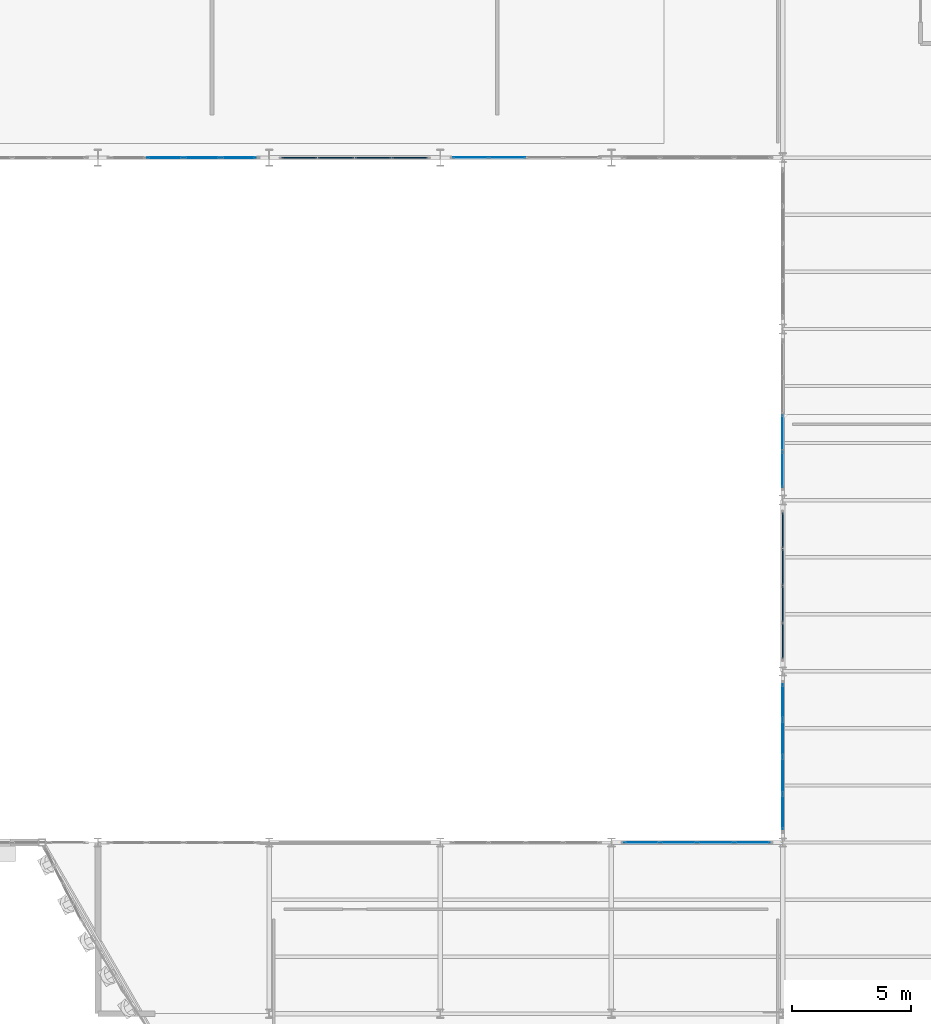
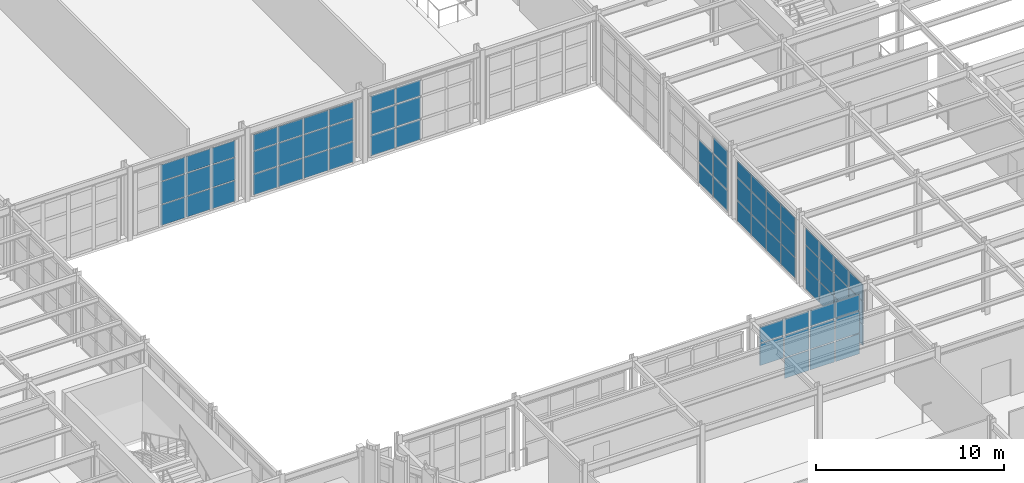
# One storey, part 86 of 126: 67 plates, 7 elements without a shape of their own.
"""IFC4 building model written with IfcOpenShell, lengths in metres."""

from ifc_helpers import new_model, si_unit, direction, frame, origin, origin_2d, place, context, subcontext, project, spatial, rectangle, extrude, material, layer, layer_set, type_object, element, aggregate, save


model = new_model("IFC4")

# Units and contexts
model_context = context("Model", 3, precision=1e-05, world=origin(), true_north=direction((0.0, 1.0)))
body_context = subcontext(model_context, "Body", "Model", "MODEL_VIEW")
ifc_project = project(units=[si_unit("LENGTHUNIT", "METRE"), si_unit("AREAUNIT", "SQUARE_METRE"), si_unit("VOLUMEUNIT", "CUBIC_METRE"), si_unit("PLANEANGLEUNIT", "RADIAN"), si_unit("MASSUNIT", "GRAM", prefix="KILO")], contexts=[model_context])

# Site, building, storey
site_placement = place(None, origin())
site = spatial("IfcSite", under=ifc_project, at=site_placement, CompositionType="ELEMENT")
building_placement = place(site_placement, origin())
building = spatial("IfcBuilding", under=site, at=building_placement, Name="Solvadek Multi-Sports Hall", CompositionType="ELEMENT")
storey_placement = place(building_placement, frame((0.0, 0.0, 9.60009765625)))
storey = spatial("IfcBuildingStorey", under=building, at=storey_placement, Name="L02", CompositionType="ELEMENT", Elevation=9.60009765625)

# Curtain wall, plates
ifc_material_1 = material(Name="Anodised aluminium", Category="aluminium")
ifc_layer_1 = layer(ifc_material_1, 0.159912109375, Name="Anodised aluminium")
ifc_layer_set_1 = layer_set([ifc_layer_1], Name="Anodised aluminium")
curtain_wall_type_1 = type_object("IfcCurtainWallType", Name="ENV-CW-624X400", PredefinedType="USERDEFINED", material=ifc_layer_set_1)
curtain_wall_1_placement = place(storey_placement, origin())
curtain_wall_1 = element("IfcCurtainWall", 1, at=curtain_wall_1_placement, inside=storey, type_object=curtain_wall_type_1, Name="L02 Perimeter Bay Curtain Wall #173", ObjectType="CURTAIN WALL", PredefinedType="USERDEFINED")
ifc_material_2 = material(Name="Tempered laminated low-E glass", Category="glass")
ifc_layer_2 = layer(ifc_material_2, 0.02392578125, Name="Tempered laminated low-E glass")
ifc_layer_set_2 = layer_set([ifc_layer_2], Name="Tempered laminated low-E glass")
plate_type_1 = type_object("IfcPlateType", Name="ENV-CWP-01", PredefinedType="CURTAIN_PANEL", material=ifc_layer_set_2)
plate_1_placement = place(storey_placement, frame((44.47509765625, 49.199951171875, 0.06494140625), z_axis=(0.0, 0.0, 1.0), x_axis=(1.0, 0.0, 0.0)))
plate_1 = element("IfcPlate", 2, at=plate_1_placement, type_object=plate_type_1, Name="CW-56 panel 1.1", PredefinedType="CURTAIN_PANEL", context=body_context, shape_type="SweptSolid", body=[
    extrude(rectangle(XDim=1.469970703125, YDim=0.02392578125, at=origin_2d()), origin(), (0.0, 0.0, 1.0), 1.302490234375),
])
plate_2_placement = place(storey_placement, frame((44.47509765625, 49.199951171875, 1.432373046875), z_axis=(0.0, 0.0, 1.0), x_axis=(1.0, 0.0, 0.0)))
plate_2 = element("IfcPlate", 3, at=plate_2_placement, type_object=plate_type_1, Name="CW-56 panel 1.2", PredefinedType="CURTAIN_PANEL", context=body_context, shape_type="SweptSolid", body=[
    extrude(rectangle(XDim=1.469970703125, YDim=0.02392578125, at=origin_2d()), origin(), (0.0, 0.0, 1.0), 1.4150390625),
])
plate_3_placement = place(storey_placement, frame((44.47509765625, 49.199951171875, 2.912353515625), z_axis=(0.0, 0.0, 1.0), x_axis=(1.0, 0.0, 0.0)))
plate_3 = element("IfcPlate", 4, at=plate_3_placement, type_object=plate_type_1, Name="CW-56 panel 1.3", PredefinedType="CURTAIN_PANEL", context=body_context, shape_type="SweptSolid", body=[
    extrude(rectangle(XDim=1.469970703125, YDim=0.02392578125, at=origin_2d()), origin(), (0.0, 0.0, 1.0), 1.0224609375),
])
plate_4_placement = place(storey_placement, frame((46.02001953125, 49.199951171875, 0.06494140625), z_axis=(0.0, 0.0, 1.0), x_axis=(1.0, 0.0, 0.0)))
plate_4 = element("IfcPlate", 5, at=plate_4_placement, type_object=plate_type_1, Name="CW-56 panel 2.1", PredefinedType="CURTAIN_PANEL", context=body_context, shape_type="SweptSolid", body=[
    extrude(rectangle(XDim=1.5, YDim=0.02392578125, at=origin_2d()), origin(), (0.0, 0.0, 1.0), 1.302490234375),
])
plate_5_placement = place(storey_placement, frame((46.02001953125, 49.199951171875, 1.432373046875), z_axis=(0.0, 0.0, 1.0), x_axis=(1.0, 0.0, 0.0)))
plate_5 = element("IfcPlate", 6, at=plate_5_placement, type_object=plate_type_1, Name="CW-56 panel 2.2", PredefinedType="CURTAIN_PANEL", context=body_context, shape_type="SweptSolid", body=[
    extrude(rectangle(XDim=1.5, YDim=0.02392578125, at=origin_2d()), origin(), (0.0, 0.0, 1.0), 1.4150390625),
])
plate_6_placement = place(storey_placement, frame((46.02001953125, 49.199951171875, 2.912353515625), z_axis=(0.0, 0.0, 1.0), x_axis=(1.0, 0.0, 0.0)))
plate_6 = element("IfcPlate", 7, at=plate_6_placement, type_object=plate_type_1, Name="CW-56 panel 2.3", PredefinedType="CURTAIN_PANEL", context=body_context, shape_type="SweptSolid", body=[
    extrude(rectangle(XDim=1.5, YDim=0.02392578125, at=origin_2d()), origin(), (0.0, 0.0, 1.0), 1.0224609375),
])
aggregate(curtain_wall_1, [plate_1, plate_2, plate_3, plate_4, plate_5, plate_6])

curtain_wall_2_placement = place(storey_placement, origin())
curtain_wall_2 = element("IfcCurtainWall", 8, at=curtain_wall_2_placement, inside=storey, type_object=curtain_wall_type_1, Name="L02 Perimeter Bay Curtain Wall #196", ObjectType="CURTAIN WALL", PredefinedType="USERDEFINED")
plate_7_placement = place(storey_placement, frame((57.60009765625, 36.074951171875, 0.06494140625), z_axis=(0.0, 0.0, 1.0), x_axis=(0.0, 1.0, 0.0)))
plate_7 = element("IfcPlate", 9, at=plate_7_placement, type_object=plate_type_1, Name="CW-56 panel 1.1", PredefinedType="CURTAIN_PANEL", context=body_context, shape_type="SweptSolid", body=[
    extrude(rectangle(XDim=1.469970703125, YDim=0.02392578125, at=origin_2d()), origin(), (0.0, 0.0, 1.0), 1.302490234375),
])
plate_8_placement = place(storey_placement, frame((57.60009765625, 36.074951171875, 1.432373046875), z_axis=(0.0, 0.0, 1.0), x_axis=(0.0, 1.0, 0.0)))
plate_8 = element("IfcPlate", 10, at=plate_8_placement, type_object=plate_type_1, Name="CW-56 panel 1.2", PredefinedType="CURTAIN_PANEL", context=body_context, shape_type="SweptSolid", body=[
    extrude(rectangle(XDim=1.469970703125, YDim=0.02392578125, at=origin_2d()), origin(), (0.0, 0.0, 1.0), 1.4150390625),
])
plate_9_placement = place(storey_placement, frame((57.60009765625, 36.074951171875, 2.912353515625), z_axis=(0.0, 0.0, 1.0), x_axis=(0.0, 1.0, 0.0)))
plate_9 = element("IfcPlate", 11, at=plate_9_placement, type_object=plate_type_1, Name="CW-56 panel 1.3", PredefinedType="CURTAIN_PANEL", context=body_context, shape_type="SweptSolid", body=[
    extrude(rectangle(XDim=1.469970703125, YDim=0.02392578125, at=origin_2d()), origin(), (0.0, 0.0, 1.0), 1.0224609375),
])
plate_10_placement = place(storey_placement, frame((57.60009765625, 37.6201171875, 0.06494140625), z_axis=(0.0, 0.0, 1.0), x_axis=(0.0, 1.0, 0.0)))
plate_10 = element("IfcPlate", 12, at=plate_10_placement, type_object=plate_type_1, Name="CW-56 panel 2.1", PredefinedType="CURTAIN_PANEL", context=body_context, shape_type="SweptSolid", body=[
    extrude(rectangle(XDim=1.5, YDim=0.02392578125, at=origin_2d()), origin(), (0.0, 0.0, 1.0), 1.302490234375),
])
plate_11_placement = place(storey_placement, frame((57.60009765625, 37.6201171875, 1.432373046875), z_axis=(0.0, 0.0, 1.0), x_axis=(0.0, 1.0, 0.0)))
plate_11 = element("IfcPlate", 13, at=plate_11_placement, type_object=plate_type_1, Name="CW-56 panel 2.2", PredefinedType="CURTAIN_PANEL", context=body_context, shape_type="SweptSolid", body=[
    extrude(rectangle(XDim=1.5, YDim=0.02392578125, at=origin_2d()), origin(), (0.0, 0.0, 1.0), 1.4150390625),
])
aggregate(curtain_wall_2, [plate_7, plate_8, plate_9, plate_10, plate_11])

ifc_layer_3 = layer(ifc_material_1, 0.159912109375, Name="Anodised aluminium")
ifc_layer_set_3 = layer_set([ifc_layer_3], Name="Anodised aluminium")
curtain_wall_type_2 = type_object("IfcCurtainWallType", Name="ENV-CW-624X397", PredefinedType="USERDEFINED", material=ifc_layer_set_3)
curtain_wall_3_placement = place(storey_placement, origin())
curtain_wall_3 = element("IfcCurtainWall", 14, at=curtain_wall_3_placement, inside=storey, type_object=curtain_wall_type_2, Name="L02 Perimeter Bay Curtain Wall #176", ObjectType="CURTAIN WALL", PredefinedType="USERDEFINED")
ifc_layer_4 = layer(ifc_material_2, 0.028076171875, Name="Tempered laminated low-E glass")
ifc_layer_set_4 = layer_set([ifc_layer_4], Name="Tempered laminated low-E glass")
plate_type_2 = type_object("IfcPlateType", Name="ENV-CWP-02", PredefinedType="CURTAIN_PANEL", material=ifc_layer_set_4)
plate_12_placement = place(storey_placement, frame((51.67626953125, 20.39990234375, 1.42333984375), z_axis=(0.0, 0.0, 1.0), x_axis=(1.0, 0.0, 0.0)))
plate_12 = element("IfcPlate", 15, at=plate_12_placement, type_object=plate_type_2, Name="CW-57 panel 1.2", PredefinedType="CURTAIN_PANEL", context=body_context, shape_type="SweptSolid", body=[
    extrude(rectangle(XDim=1.46240234375, YDim=0.028076171875, at=origin_2d()), origin(), (0.0, 0.0, 1.0), 1.406005859375),
])
plate_13_placement = place(storey_placement, frame((51.67626953125, 20.39990234375, 2.89453125), z_axis=(0.0, 0.0, 1.0), x_axis=(1.0, 0.0, 0.0)))
plate_13 = element("IfcPlate", 16, at=plate_13_placement, type_object=plate_type_2, Name="CW-57 panel 1.3", PredefinedType="CURTAIN_PANEL", context=body_context, shape_type="SweptSolid", body=[
    extrude(rectangle(XDim=1.46240234375, YDim=0.028076171875, at=origin_2d()), origin(), (0.0, 0.0, 1.0), 1.015380859375),
])
plate_14_placement = place(storey_placement, frame((53.219970703125, 20.39990234375, 0.06494140625), z_axis=(0.0, 0.0, 1.0), x_axis=(1.0, 0.0, 0.0)))
plate_14 = element("IfcPlate", 17, at=plate_14_placement, type_object=plate_type_2, Name="CW-57 panel 2.1", PredefinedType="CURTAIN_PANEL", context=body_context, shape_type="SweptSolid", body=[
    extrude(rectangle(XDim=1.4951171875, YDim=0.028076171875, at=origin_2d()), origin(), (0.0, 0.0, 1.0), 1.29345703125),
])
plate_15_placement = place(storey_placement, frame((53.219970703125, 20.39990234375, 1.42333984375), z_axis=(0.0, 0.0, 1.0), x_axis=(1.0, 0.0, 0.0)))
plate_15 = element("IfcPlate", 18, at=plate_15_placement, type_object=plate_type_2, Name="CW-57 panel 2.2", PredefinedType="CURTAIN_PANEL", context=body_context, shape_type="SweptSolid", body=[
    extrude(rectangle(XDim=1.4951171875, YDim=0.028076171875, at=origin_2d()), origin(), (0.0, 0.0, 1.0), 1.406005859375),
])
plate_16_placement = place(storey_placement, frame((53.219970703125, 20.39990234375, 2.89453125), z_axis=(0.0, 0.0, 1.0), x_axis=(1.0, 0.0, 0.0)))
plate_16 = element("IfcPlate", 19, at=plate_16_placement, type_object=plate_type_2, Name="CW-57 panel 2.3", PredefinedType="CURTAIN_PANEL", context=body_context, shape_type="SweptSolid", body=[
    extrude(rectangle(XDim=1.4951171875, YDim=0.028076171875, at=origin_2d()), origin(), (0.0, 0.0, 1.0), 1.015380859375),
])
plate_17_placement = place(storey_placement, frame((54.780029296875, 20.39990234375, 0.06494140625), z_axis=(0.0, 0.0, 1.0), x_axis=(1.0, 0.0, 0.0)))
plate_17 = element("IfcPlate", 20, at=plate_17_placement, type_object=plate_type_2, Name="CW-57 panel 3.1", PredefinedType="CURTAIN_PANEL", context=body_context, shape_type="SweptSolid", body=[
    extrude(rectangle(XDim=1.4951171875, YDim=0.028076171875, at=origin_2d()), origin(), (0.0, 0.0, 1.0), 1.29345703125),
])
plate_18_placement = place(storey_placement, frame((54.780029296875, 20.39990234375, 1.42333984375), z_axis=(0.0, 0.0, 1.0), x_axis=(1.0, 0.0, 0.0)))
plate_18 = element("IfcPlate", 21, at=plate_18_placement, type_object=plate_type_2, Name="CW-57 panel 3.2", PredefinedType="CURTAIN_PANEL", context=body_context, shape_type="SweptSolid", body=[
    extrude(rectangle(XDim=1.4951171875, YDim=0.028076171875, at=origin_2d()), origin(), (0.0, 0.0, 1.0), 1.406005859375),
])
plate_19_placement = place(storey_placement, frame((54.780029296875, 20.39990234375, 2.89453125), z_axis=(0.0, 0.0, 1.0), x_axis=(1.0, 0.0, 0.0)))
plate_19 = element("IfcPlate", 22, at=plate_19_placement, type_object=plate_type_2, Name="CW-57 panel 3.3", PredefinedType="CURTAIN_PANEL", context=body_context, shape_type="SweptSolid", body=[
    extrude(rectangle(XDim=1.4951171875, YDim=0.028076171875, at=origin_2d()), origin(), (0.0, 0.0, 1.0), 1.015380859375),
])
plate_20_placement = place(storey_placement, frame((56.32373046875, 20.39990234375, 0.06494140625), z_axis=(0.0, 0.0, 1.0), x_axis=(1.0, 0.0, 0.0)))
plate_20 = element("IfcPlate", 23, at=plate_20_placement, type_object=plate_type_2, Name="CW-57 panel 4.1", PredefinedType="CURTAIN_PANEL", context=body_context, shape_type="SweptSolid", body=[
    extrude(rectangle(XDim=1.46240234375, YDim=0.028076171875, at=origin_2d()), origin(), (0.0, 0.0, 1.0), 1.29345703125),
])
plate_21_placement = place(storey_placement, frame((56.32373046875, 20.39990234375, 1.42333984375), z_axis=(0.0, 0.0, 1.0), x_axis=(1.0, 0.0, 0.0)))
plate_21 = element("IfcPlate", 24, at=plate_21_placement, type_object=plate_type_2, Name="CW-57 panel 4.2", PredefinedType="CURTAIN_PANEL", context=body_context, shape_type="SweptSolid", body=[
    extrude(rectangle(XDim=1.46240234375, YDim=0.028076171875, at=origin_2d()), origin(), (0.0, 0.0, 1.0), 1.406005859375),
])
plate_22_placement = place(storey_placement, frame((56.32373046875, 20.39990234375, 2.89453125), z_axis=(0.0, 0.0, 1.0), x_axis=(1.0, 0.0, 0.0)))
plate_22 = element("IfcPlate", 25, at=plate_22_placement, type_object=plate_type_2, Name="CW-57 panel 4.3", PredefinedType="CURTAIN_PANEL", context=body_context, shape_type="SweptSolid", body=[
    extrude(rectangle(XDim=1.46240234375, YDim=0.028076171875, at=origin_2d()), origin(), (0.0, 0.0, 1.0), 1.015380859375),
])
aggregate(curtain_wall_3, [plate_12, plate_13, plate_14, plate_15, plate_16, plate_17, plate_18, plate_19, plate_20, plate_21, plate_22])

ifc_layer_5 = layer(ifc_material_1, 0.159912109375, Name="Anodised aluminium")
ifc_layer_set_5 = layer_set([ifc_layer_5], Name="Anodised aluminium")
curtain_wall_type_3 = type_object("IfcCurtainWallType", Name="ENV-CW-624X405", PredefinedType="USERDEFINED", material=ifc_layer_set_5)
curtain_wall_4_placement = place(storey_placement, origin())
curtain_wall_4 = element("IfcCurtainWall", 26, at=curtain_wall_4_placement, inside=storey, type_object=curtain_wall_type_3, Name="L02 Perimeter Bay Curtain Wall #163", ObjectType="CURTAIN WALL", PredefinedType="USERDEFINED")
ifc_layer_6 = layer(ifc_material_2, 0.0419921875, Name="Tempered laminated low-E glass")
ifc_layer_set_6 = layer_set([ifc_layer_6], Name="Tempered laminated low-E glass")
plate_type_3 = type_object("IfcPlateType", Name="ENV-CWP-05", PredefinedType="CURTAIN_PANEL", material=ifc_layer_set_6)
plate_23_placement = place(storey_placement, frame((31.6201171875, 49.199951171875, 0.06005859375), z_axis=(0.0, 0.0, 1.0), x_axis=(1.0, 0.0, 0.0)))
plate_23 = element("IfcPlate", 27, at=plate_23_placement, type_object=plate_type_3, Name="CW-52 panel 2.1", PredefinedType="CURTAIN_PANEL", context=body_context, shape_type="SweptSolid", body=[
    extrude(rectangle(XDim=1.489990234375, YDim=0.0419921875, at=origin_2d()), origin(), (0.0, 0.0, 1.0), 1.327880859375),
])
plate_24_placement = place(storey_placement, frame((31.6201171875, 49.199951171875, 1.447998046875), z_axis=(0.0, 0.0, 1.0), x_axis=(1.0, 0.0, 0.0)))
plate_24 = element("IfcPlate", 28, at=plate_24_placement, type_object=plate_type_3, Name="CW-52 panel 2.2", PredefinedType="CURTAIN_PANEL", context=body_context, shape_type="SweptSolid", body=[
    extrude(rectangle(XDim=1.489990234375, YDim=0.0419921875, at=origin_2d()), origin(), (0.0, 0.0, 1.0), 1.43798828125),
])
plate_25_placement = place(storey_placement, frame((31.6201171875, 49.199951171875, 2.946044921875), z_axis=(0.0, 0.0, 1.0), x_axis=(1.0, 0.0, 0.0)))
plate_25 = element("IfcPlate", 29, at=plate_25_placement, type_object=plate_type_3, Name="CW-52 panel 2.3", PredefinedType="CURTAIN_PANEL", context=body_context, shape_type="SweptSolid", body=[
    extrude(rectangle(XDim=1.489990234375, YDim=0.0419921875, at=origin_2d()), origin(), (0.0, 0.0, 1.0), 1.0439453125),
])
plate_26_placement = place(storey_placement, frame((33.179931640625, 49.199951171875, 0.06005859375), z_axis=(0.0, 0.0, 1.0), x_axis=(1.0, 0.0, 0.0)))
plate_26 = element("IfcPlate", 30, at=plate_26_placement, type_object=plate_type_3, Name="CW-52 panel 3.1", PredefinedType="CURTAIN_PANEL", context=body_context, shape_type="SweptSolid", body=[
    extrude(rectangle(XDim=1.489990234375, YDim=0.0419921875, at=origin_2d()), origin(), (0.0, 0.0, 1.0), 1.327880859375),
])
plate_27_placement = place(storey_placement, frame((33.179931640625, 49.199951171875, 1.447998046875), z_axis=(0.0, 0.0, 1.0), x_axis=(1.0, 0.0, 0.0)))
plate_27 = element("IfcPlate", 31, at=plate_27_placement, type_object=plate_type_3, Name="CW-52 panel 3.2", PredefinedType="CURTAIN_PANEL", context=body_context, shape_type="SweptSolid", body=[
    extrude(rectangle(XDim=1.489990234375, YDim=0.0419921875, at=origin_2d()), origin(), (0.0, 0.0, 1.0), 1.43798828125),
])
plate_28_placement = place(storey_placement, frame((33.179931640625, 49.199951171875, 2.946044921875), z_axis=(0.0, 0.0, 1.0), x_axis=(1.0, 0.0, 0.0)))
plate_28 = element("IfcPlate", 32, at=plate_28_placement, type_object=plate_type_3, Name="CW-52 panel 3.3", PredefinedType="CURTAIN_PANEL", context=body_context, shape_type="SweptSolid", body=[
    extrude(rectangle(XDim=1.489990234375, YDim=0.0419921875, at=origin_2d()), origin(), (0.0, 0.0, 1.0), 1.0439453125),
])
plate_29_placement = place(storey_placement, frame((34.722412109375, 49.199951171875, 0.06005859375), z_axis=(0.0, 0.0, 1.0), x_axis=(1.0, 0.0, 0.0)))
plate_29 = element("IfcPlate", 33, at=plate_29_placement, type_object=plate_type_3, Name="CW-52 panel 4.1", PredefinedType="CURTAIN_PANEL", context=body_context, shape_type="SweptSolid", body=[
    extrude(rectangle(XDim=1.455078125, YDim=0.0419921875, at=origin_2d()), origin(), (0.0, 0.0, 1.0), 1.327880859375),
])
plate_30_placement = place(storey_placement, frame((34.722412109375, 49.199951171875, 1.447998046875), z_axis=(0.0, 0.0, 1.0), x_axis=(1.0, 0.0, 0.0)))
plate_30 = element("IfcPlate", 34, at=plate_30_placement, type_object=plate_type_3, Name="CW-52 panel 4.2", PredefinedType="CURTAIN_PANEL", context=body_context, shape_type="SweptSolid", body=[
    extrude(rectangle(XDim=1.455078125, YDim=0.0419921875, at=origin_2d()), origin(), (0.0, 0.0, 1.0), 1.43798828125),
])
plate_31_placement = place(storey_placement, frame((34.722412109375, 49.199951171875, 2.946044921875), z_axis=(0.0, 0.0, 1.0), x_axis=(1.0, 0.0, 0.0)))
plate_31 = element("IfcPlate", 35, at=plate_31_placement, type_object=plate_type_3, Name="CW-52 panel 4.3", PredefinedType="CURTAIN_PANEL", context=body_context, shape_type="SweptSolid", body=[
    extrude(rectangle(XDim=1.455078125, YDim=0.0419921875, at=origin_2d()), origin(), (0.0, 0.0, 1.0), 1.0439453125),
])
aggregate(curtain_wall_4, [plate_23, plate_24, plate_25, plate_26, plate_27, plate_28, plate_29, plate_30, plate_31])

curtain_wall_5_placement = place(storey_placement, origin())
curtain_wall_5 = element("IfcCurtainWall", 36, at=curtain_wall_5_placement, inside=storey, type_object=curtain_wall_type_3, Name="L02 Perimeter Bay Curtain Wall #185", ObjectType="CURTAIN WALL", PredefinedType="USERDEFINED")
plate_32_placement = place(storey_placement, frame((57.60009765625, 21.677490234375, 0.06005859375), z_axis=(0.0, 0.0, 1.0), x_axis=(0.0, 1.0, 0.0)))
plate_32 = element("IfcPlate", 37, at=plate_32_placement, type_object=plate_type_3, Name="CW-52 panel 1.1", PredefinedType="CURTAIN_PANEL", context=body_context, shape_type="SweptSolid", body=[
    extrude(rectangle(XDim=1.455078125, YDim=0.0419921875, at=origin_2d()), origin(), (0.0, 0.0, 1.0), 1.327880859375),
])
plate_33_placement = place(storey_placement, frame((57.60009765625, 21.677490234375, 1.447998046875), z_axis=(0.0, 0.0, 1.0), x_axis=(0.0, 1.0, 0.0)))
plate_33 = element("IfcPlate", 38, at=plate_33_placement, type_object=plate_type_3, Name="CW-52 panel 1.2", PredefinedType="CURTAIN_PANEL", context=body_context, shape_type="SweptSolid", body=[
    extrude(rectangle(XDim=1.455078125, YDim=0.0419921875, at=origin_2d()), origin(), (0.0, 0.0, 1.0), 1.43798828125),
])
plate_34_placement = place(storey_placement, frame((57.60009765625, 21.677490234375, 2.946044921875), z_axis=(0.0, 0.0, 1.0), x_axis=(0.0, 1.0, 0.0)))
plate_34 = element("IfcPlate", 39, at=plate_34_placement, type_object=plate_type_3, Name="CW-52 panel 1.3", PredefinedType="CURTAIN_PANEL", context=body_context, shape_type="SweptSolid", body=[
    extrude(rectangle(XDim=1.455078125, YDim=0.0419921875, at=origin_2d()), origin(), (0.0, 0.0, 1.0), 1.0439453125),
])
plate_35_placement = place(storey_placement, frame((57.60009765625, 23.219970703125, 0.06005859375), z_axis=(0.0, 0.0, 1.0), x_axis=(0.0, 1.0, 0.0)))
plate_35 = element("IfcPlate", 40, at=plate_35_placement, type_object=plate_type_3, Name="CW-52 panel 2.1", PredefinedType="CURTAIN_PANEL", context=body_context, shape_type="SweptSolid", body=[
    extrude(rectangle(XDim=1.489990234375, YDim=0.0419921875, at=origin_2d()), origin(), (0.0, 0.0, 1.0), 1.327880859375),
])
plate_36_placement = place(storey_placement, frame((57.60009765625, 23.219970703125, 1.447998046875), z_axis=(0.0, 0.0, 1.0), x_axis=(0.0, 1.0, 0.0)))
plate_36 = element("IfcPlate", 41, at=plate_36_placement, type_object=plate_type_3, Name="CW-52 panel 2.2", PredefinedType="CURTAIN_PANEL", context=body_context, shape_type="SweptSolid", body=[
    extrude(rectangle(XDim=1.489990234375, YDim=0.0419921875, at=origin_2d()), origin(), (0.0, 0.0, 1.0), 1.43798828125),
])
plate_37_placement = place(storey_placement, frame((57.60009765625, 23.219970703125, 2.946044921875), z_axis=(0.0, 0.0, 1.0), x_axis=(0.0, 1.0, 0.0)))
plate_37 = element("IfcPlate", 42, at=plate_37_placement, type_object=plate_type_3, Name="CW-52 panel 2.3", PredefinedType="CURTAIN_PANEL", context=body_context, shape_type="SweptSolid", body=[
    extrude(rectangle(XDim=1.489990234375, YDim=0.0419921875, at=origin_2d()), origin(), (0.0, 0.0, 1.0), 1.0439453125),
])
plate_38_placement = place(storey_placement, frame((57.60009765625, 24.780029296875, 0.06005859375), z_axis=(0.0, 0.0, 1.0), x_axis=(0.0, 1.0, 0.0)))
plate_38 = element("IfcPlate", 43, at=plate_38_placement, type_object=plate_type_3, Name="CW-52 panel 3.1", PredefinedType="CURTAIN_PANEL", context=body_context, shape_type="SweptSolid", body=[
    extrude(rectangle(XDim=1.489990234375, YDim=0.0419921875, at=origin_2d()), origin(), (0.0, 0.0, 1.0), 1.327880859375),
])
plate_39_placement = place(storey_placement, frame((57.60009765625, 24.780029296875, 1.447998046875), z_axis=(0.0, 0.0, 1.0), x_axis=(0.0, 1.0, 0.0)))
plate_39 = element("IfcPlate", 44, at=plate_39_placement, type_object=plate_type_3, Name="CW-52 panel 3.2", PredefinedType="CURTAIN_PANEL", context=body_context, shape_type="SweptSolid", body=[
    extrude(rectangle(XDim=1.489990234375, YDim=0.0419921875, at=origin_2d()), origin(), (0.0, 0.0, 1.0), 1.43798828125),
])
plate_40_placement = place(storey_placement, frame((57.60009765625, 24.780029296875, 2.946044921875), z_axis=(0.0, 0.0, 1.0), x_axis=(0.0, 1.0, 0.0)))
plate_40 = element("IfcPlate", 45, at=plate_40_placement, type_object=plate_type_3, Name="CW-52 panel 3.3", PredefinedType="CURTAIN_PANEL", context=body_context, shape_type="SweptSolid", body=[
    extrude(rectangle(XDim=1.489990234375, YDim=0.0419921875, at=origin_2d()), origin(), (0.0, 0.0, 1.0), 1.0439453125),
])
plate_41_placement = place(storey_placement, frame((57.60009765625, 26.322509765625, 0.06005859375), z_axis=(0.0, 0.0, 1.0), x_axis=(0.0, 1.0, 0.0)))
plate_41 = element("IfcPlate", 46, at=plate_41_placement, type_object=plate_type_3, Name="CW-52 panel 4.1", PredefinedType="CURTAIN_PANEL", context=body_context, shape_type="SweptSolid", body=[
    extrude(rectangle(XDim=1.455078125, YDim=0.0419921875, at=origin_2d()), origin(), (0.0, 0.0, 1.0), 1.327880859375),
])
plate_42_placement = place(storey_placement, frame((57.60009765625, 26.322509765625, 1.447998046875), z_axis=(0.0, 0.0, 1.0), x_axis=(0.0, 1.0, 0.0)))
plate_42 = element("IfcPlate", 47, at=plate_42_placement, type_object=plate_type_3, Name="CW-52 panel 4.2", PredefinedType="CURTAIN_PANEL", context=body_context, shape_type="SweptSolid", body=[
    extrude(rectangle(XDim=1.455078125, YDim=0.0419921875, at=origin_2d()), origin(), (0.0, 0.0, 1.0), 1.43798828125),
])
plate_43_placement = place(storey_placement, frame((57.60009765625, 26.322509765625, 2.946044921875), z_axis=(0.0, 0.0, 1.0), x_axis=(0.0, 1.0, 0.0)))
plate_43 = element("IfcPlate", 48, at=plate_43_placement, type_object=plate_type_3, Name="CW-52 panel 4.3", PredefinedType="CURTAIN_PANEL", context=body_context, shape_type="SweptSolid", body=[
    extrude(rectangle(XDim=1.455078125, YDim=0.0419921875, at=origin_2d()), origin(), (0.0, 0.0, 1.0), 1.0439453125),
])
aggregate(curtain_wall_5, [plate_32, plate_33, plate_34, plate_35, plate_36, plate_37, plate_38, plate_39, plate_40, plate_41, plate_42, plate_43])

ifc_layer_7 = layer(ifc_material_1, 0.159912109375, Name="Anodised aluminium")
ifc_layer_set_7 = layer_set([ifc_layer_7], Name="Anodised aluminium")
curtain_wall_type_4 = type_object("IfcCurtainWallType", Name="ENV-CW-624X403", PredefinedType="USERDEFINED", material=ifc_layer_set_7)
curtain_wall_6_placement = place(storey_placement, origin())
curtain_wall_6 = element("IfcCurtainWall", 49, at=curtain_wall_6_placement, inside=storey, type_object=curtain_wall_type_4, Name="L02 Perimeter Bay Curtain Wall #167", ObjectType="CURTAIN WALL", PredefinedType="USERDEFINED")
ifc_layer_8 = layer(ifc_material_2, 0.048095703125, Name="Tempered laminated low-E glass")
ifc_layer_set_8 = layer_set([ifc_layer_8], Name="Tempered laminated low-E glass")
plate_type_4 = type_object("IfcPlateType", Name="ENV-CWP-06", PredefinedType="CURTAIN_PANEL", material=ifc_layer_set_8)
plate_44_placement = place(storey_placement, frame((37.27490234375, 49.199951171875, 0.06005859375), z_axis=(0.0, 0.0, 1.0), x_axis=(1.0, 0.0, 0.0)))
plate_44 = element("IfcPlate", 50, at=plate_44_placement, type_object=plate_type_4, Name="CW-43 panel 1.1", PredefinedType="CURTAIN_PANEL", context=body_context, shape_type="SweptSolid", body=[
    extrude(rectangle(XDim=1.469970703125, YDim=0.048095703125, at=origin_2d()), origin(), (0.0, 0.0, 1.0), 1.319091796875),
])
plate_45_placement = place(storey_placement, frame((37.27490234375, 49.199951171875, 1.43896484375), z_axis=(0.0, 0.0, 1.0), x_axis=(1.0, 0.0, 0.0)))
plate_45 = element("IfcPlate", 51, at=plate_45_placement, type_object=plate_type_4, Name="CW-43 panel 1.2", PredefinedType="CURTAIN_PANEL", context=body_context, shape_type="SweptSolid", body=[
    extrude(rectangle(XDim=1.469970703125, YDim=0.048095703125, at=origin_2d()), origin(), (0.0, 0.0, 1.0), 1.428955078125),
])
plate_46_placement = place(storey_placement, frame((37.27490234375, 49.199951171875, 2.927734375), z_axis=(0.0, 0.0, 1.0), x_axis=(1.0, 0.0, 0.0)))
plate_46 = element("IfcPlate", 52, at=plate_46_placement, type_object=plate_type_4, Name="CW-43 panel 1.3", PredefinedType="CURTAIN_PANEL", context=body_context, shape_type="SweptSolid", body=[
    extrude(rectangle(XDim=1.469970703125, YDim=0.048095703125, at=origin_2d()), origin(), (0.0, 0.0, 1.0), 1.037109375),
])
plate_47_placement = place(storey_placement, frame((38.820068359375, 49.199951171875, 0.06005859375), z_axis=(0.0, 0.0, 1.0), x_axis=(1.0, 0.0, 0.0)))
plate_47 = element("IfcPlate", 53, at=plate_47_placement, type_object=plate_type_4, Name="CW-43 panel 2.1", PredefinedType="CURTAIN_PANEL", context=body_context, shape_type="SweptSolid", body=[
    extrude(rectangle(XDim=1.5, YDim=0.048095703125, at=origin_2d()), origin(), (0.0, 0.0, 1.0), 1.319091796875),
])
plate_48_placement = place(storey_placement, frame((38.820068359375, 49.199951171875, 1.43896484375), z_axis=(0.0, 0.0, 1.0), x_axis=(1.0, 0.0, 0.0)))
plate_48 = element("IfcPlate", 54, at=plate_48_placement, type_object=plate_type_4, Name="CW-43 panel 2.2", PredefinedType="CURTAIN_PANEL", context=body_context, shape_type="SweptSolid", body=[
    extrude(rectangle(XDim=1.5, YDim=0.048095703125, at=origin_2d()), origin(), (0.0, 0.0, 1.0), 1.428955078125),
])
plate_49_placement = place(storey_placement, frame((38.820068359375, 49.199951171875, 2.927734375), z_axis=(0.0, 0.0, 1.0), x_axis=(1.0, 0.0, 0.0)))
plate_49 = element("IfcPlate", 55, at=plate_49_placement, type_object=plate_type_4, Name="CW-43 panel 2.3", PredefinedType="CURTAIN_PANEL", context=body_context, shape_type="SweptSolid", body=[
    extrude(rectangle(XDim=1.5, YDim=0.048095703125, at=origin_2d()), origin(), (0.0, 0.0, 1.0), 1.037109375),
])
plate_50_placement = place(storey_placement, frame((40.3798828125, 49.199951171875, 0.06005859375), z_axis=(0.0, 0.0, 1.0), x_axis=(1.0, 0.0, 0.0)))
plate_50 = element("IfcPlate", 56, at=plate_50_placement, type_object=plate_type_4, Name="CW-43 panel 3.1", PredefinedType="CURTAIN_PANEL", context=body_context, shape_type="SweptSolid", body=[
    extrude(rectangle(XDim=1.5, YDim=0.048095703125, at=origin_2d()), origin(), (0.0, 0.0, 1.0), 1.319091796875),
])
plate_51_placement = place(storey_placement, frame((40.3798828125, 49.199951171875, 1.43896484375), z_axis=(0.0, 0.0, 1.0), x_axis=(1.0, 0.0, 0.0)))
plate_51 = element("IfcPlate", 57, at=plate_51_placement, type_object=plate_type_4, Name="CW-43 panel 3.2", PredefinedType="CURTAIN_PANEL", context=body_context, shape_type="SweptSolid", body=[
    extrude(rectangle(XDim=1.5, YDim=0.048095703125, at=origin_2d()), origin(), (0.0, 0.0, 1.0), 1.428955078125),
])
plate_52_placement = place(storey_placement, frame((40.3798828125, 49.199951171875, 2.927734375), z_axis=(0.0, 0.0, 1.0), x_axis=(1.0, 0.0, 0.0)))
plate_52 = element("IfcPlate", 58, at=plate_52_placement, type_object=plate_type_4, Name="CW-43 panel 3.3", PredefinedType="CURTAIN_PANEL", context=body_context, shape_type="SweptSolid", body=[
    extrude(rectangle(XDim=1.5, YDim=0.048095703125, at=origin_2d()), origin(), (0.0, 0.0, 1.0), 1.037109375),
])
plate_53_placement = place(storey_placement, frame((41.925048828125, 49.199951171875, 0.06005859375), z_axis=(0.0, 0.0, 1.0), x_axis=(1.0, 0.0, 0.0)))
plate_53 = element("IfcPlate", 59, at=plate_53_placement, type_object=plate_type_4, Name="CW-43 panel 4.1", PredefinedType="CURTAIN_PANEL", context=body_context, shape_type="SweptSolid", body=[
    extrude(rectangle(XDim=1.469970703125, YDim=0.048095703125, at=origin_2d()), origin(), (0.0, 0.0, 1.0), 1.319091796875),
])
plate_54_placement = place(storey_placement, frame((41.925048828125, 49.199951171875, 1.43896484375), z_axis=(0.0, 0.0, 1.0), x_axis=(1.0, 0.0, 0.0)))
plate_54 = element("IfcPlate", 60, at=plate_54_placement, type_object=plate_type_4, Name="CW-43 panel 4.2", PredefinedType="CURTAIN_PANEL", context=body_context, shape_type="SweptSolid", body=[
    extrude(rectangle(XDim=1.469970703125, YDim=0.048095703125, at=origin_2d()), origin(), (0.0, 0.0, 1.0), 1.428955078125),
])
plate_55_placement = place(storey_placement, frame((41.925048828125, 49.199951171875, 2.927734375), z_axis=(0.0, 0.0, 1.0), x_axis=(1.0, 0.0, 0.0)))
plate_55 = element("IfcPlate", 61, at=plate_55_placement, type_object=plate_type_4, Name="CW-43 panel 4.3", PredefinedType="CURTAIN_PANEL", context=body_context, shape_type="SweptSolid", body=[
    extrude(rectangle(XDim=1.469970703125, YDim=0.048095703125, at=origin_2d()), origin(), (0.0, 0.0, 1.0), 1.037109375),
])
aggregate(curtain_wall_6, [plate_44, plate_45, plate_46, plate_47, plate_48, plate_49, plate_50, plate_51, plate_52, plate_53, plate_54, plate_55])

curtain_wall_7_placement = place(storey_placement, origin())
curtain_wall_7 = element("IfcCurtainWall", 62, at=curtain_wall_7_placement, inside=storey, type_object=curtain_wall_type_4, Name="L02 Perimeter Bay Curtain Wall #191", ObjectType="CURTAIN WALL", PredefinedType="USERDEFINED")
plate_56_placement = place(storey_placement, frame((57.60009765625, 28.875, 0.06005859375), z_axis=(0.0, 0.0, 1.0), x_axis=(0.0, 1.0, 0.0)))
plate_56 = element("IfcPlate", 63, at=plate_56_placement, type_object=plate_type_4, Name="CW-43 panel 1.1", PredefinedType="CURTAIN_PANEL", context=body_context, shape_type="SweptSolid", body=[
    extrude(rectangle(XDim=1.469970703125, YDim=0.048095703125, at=origin_2d()), origin(), (0.0, 0.0, 1.0), 1.319091796875),
])
plate_57_placement = place(storey_placement, frame((57.60009765625, 28.875, 1.43896484375), z_axis=(0.0, 0.0, 1.0), x_axis=(0.0, 1.0, 0.0)))
plate_57 = element("IfcPlate", 64, at=plate_57_placement, type_object=plate_type_4, Name="CW-43 panel 1.2", PredefinedType="CURTAIN_PANEL", context=body_context, shape_type="SweptSolid", body=[
    extrude(rectangle(XDim=1.469970703125, YDim=0.048095703125, at=origin_2d()), origin(), (0.0, 0.0, 1.0), 1.428955078125),
])
plate_58_placement = place(storey_placement, frame((57.60009765625, 28.875, 2.927734375), z_axis=(0.0, 0.0, 1.0), x_axis=(0.0, 1.0, 0.0)))
plate_58 = element("IfcPlate", 65, at=plate_58_placement, type_object=plate_type_4, Name="CW-43 panel 1.3", PredefinedType="CURTAIN_PANEL", context=body_context, shape_type="SweptSolid", body=[
    extrude(rectangle(XDim=1.469970703125, YDim=0.048095703125, at=origin_2d()), origin(), (0.0, 0.0, 1.0), 1.037109375),
])
plate_59_placement = place(storey_placement, frame((57.60009765625, 30.419921875, 0.06005859375), z_axis=(0.0, 0.0, 1.0), x_axis=(0.0, 1.0, 0.0)))
plate_59 = element("IfcPlate", 66, at=plate_59_placement, type_object=plate_type_4, Name="CW-43 panel 2.1", PredefinedType="CURTAIN_PANEL", context=body_context, shape_type="SweptSolid", body=[
    extrude(rectangle(XDim=1.5, YDim=0.048095703125, at=origin_2d()), origin(), (0.0, 0.0, 1.0), 1.319091796875),
])
plate_60_placement = place(storey_placement, frame((57.60009765625, 30.419921875, 1.43896484375), z_axis=(0.0, 0.0, 1.0), x_axis=(0.0, 1.0, 0.0)))
plate_60 = element("IfcPlate", 67, at=plate_60_placement, type_object=plate_type_4, Name="CW-43 panel 2.2", PredefinedType="CURTAIN_PANEL", context=body_context, shape_type="SweptSolid", body=[
    extrude(rectangle(XDim=1.5, YDim=0.048095703125, at=origin_2d()), origin(), (0.0, 0.0, 1.0), 1.428955078125),
])
plate_61_placement = place(storey_placement, frame((57.60009765625, 30.419921875, 2.927734375), z_axis=(0.0, 0.0, 1.0), x_axis=(0.0, 1.0, 0.0)))
plate_61 = element("IfcPlate", 68, at=plate_61_placement, type_object=plate_type_4, Name="CW-43 panel 2.3", PredefinedType="CURTAIN_PANEL", context=body_context, shape_type="SweptSolid", body=[
    extrude(rectangle(XDim=1.5, YDim=0.048095703125, at=origin_2d()), origin(), (0.0, 0.0, 1.0), 1.037109375),
])
plate_62_placement = place(storey_placement, frame((57.60009765625, 31.97998046875, 0.06005859375), z_axis=(0.0, 0.0, 1.0), x_axis=(0.0, 1.0, 0.0)))
plate_62 = element("IfcPlate", 69, at=plate_62_placement, type_object=plate_type_4, Name="CW-43 panel 3.1", PredefinedType="CURTAIN_PANEL", context=body_context, shape_type="SweptSolid", body=[
    extrude(rectangle(XDim=1.5, YDim=0.048095703125, at=origin_2d()), origin(), (0.0, 0.0, 1.0), 1.319091796875),
])
plate_63_placement = place(storey_placement, frame((57.60009765625, 31.97998046875, 1.43896484375), z_axis=(0.0, 0.0, 1.0), x_axis=(0.0, 1.0, 0.0)))
plate_63 = element("IfcPlate", 70, at=plate_63_placement, type_object=plate_type_4, Name="CW-43 panel 3.2", PredefinedType="CURTAIN_PANEL", context=body_context, shape_type="SweptSolid", body=[
    extrude(rectangle(XDim=1.5, YDim=0.048095703125, at=origin_2d()), origin(), (0.0, 0.0, 1.0), 1.428955078125),
])
plate_64_placement = place(storey_placement, frame((57.60009765625, 31.97998046875, 2.927734375), z_axis=(0.0, 0.0, 1.0), x_axis=(0.0, 1.0, 0.0)))
plate_64 = element("IfcPlate", 71, at=plate_64_placement, type_object=plate_type_4, Name="CW-43 panel 3.3", PredefinedType="CURTAIN_PANEL", context=body_context, shape_type="SweptSolid", body=[
    extrude(rectangle(XDim=1.5, YDim=0.048095703125, at=origin_2d()), origin(), (0.0, 0.0, 1.0), 1.037109375),
])
plate_65_placement = place(storey_placement, frame((57.60009765625, 33.52490234375, 0.06005859375), z_axis=(0.0, 0.0, 1.0), x_axis=(0.0, 1.0, 0.0)))
plate_65 = element("IfcPlate", 72, at=plate_65_placement, type_object=plate_type_4, Name="CW-43 panel 4.1", PredefinedType="CURTAIN_PANEL", context=body_context, shape_type="SweptSolid", body=[
    extrude(rectangle(XDim=1.469970703125, YDim=0.048095703125, at=origin_2d()), origin(), (0.0, 0.0, 1.0), 1.319091796875),
])
plate_66_placement = place(storey_placement, frame((57.60009765625, 33.52490234375, 1.43896484375), z_axis=(0.0, 0.0, 1.0), x_axis=(0.0, 1.0, 0.0)))
plate_66 = element("IfcPlate", 73, at=plate_66_placement, type_object=plate_type_4, Name="CW-43 panel 4.2", PredefinedType="CURTAIN_PANEL", context=body_context, shape_type="SweptSolid", body=[
    extrude(rectangle(XDim=1.469970703125, YDim=0.048095703125, at=origin_2d()), origin(), (0.0, 0.0, 1.0), 1.428955078125),
])
plate_67_placement = place(storey_placement, frame((57.60009765625, 33.52490234375, 2.927734375), z_axis=(0.0, 0.0, 1.0), x_axis=(0.0, 1.0, 0.0)))
plate_67 = element("IfcPlate", 74, at=plate_67_placement, type_object=plate_type_4, Name="CW-43 panel 4.3", PredefinedType="CURTAIN_PANEL", context=body_context, shape_type="SweptSolid", body=[
    extrude(rectangle(XDim=1.469970703125, YDim=0.048095703125, at=origin_2d()), origin(), (0.0, 0.0, 1.0), 1.037109375),
])
aggregate(curtain_wall_7, [plate_56, plate_57, plate_58, plate_59, plate_60, plate_61, plate_62, plate_63, plate_64, plate_65, plate_66, plate_67])

save(model, "model.ifc")
